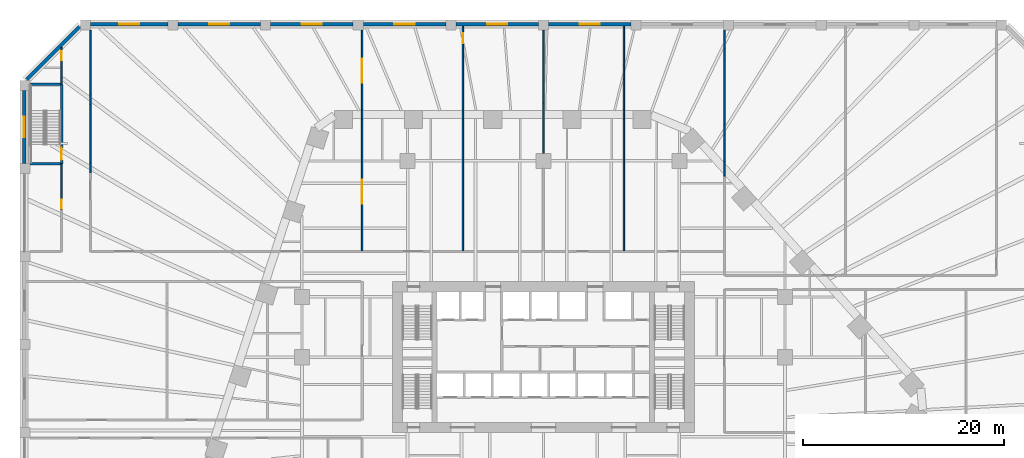
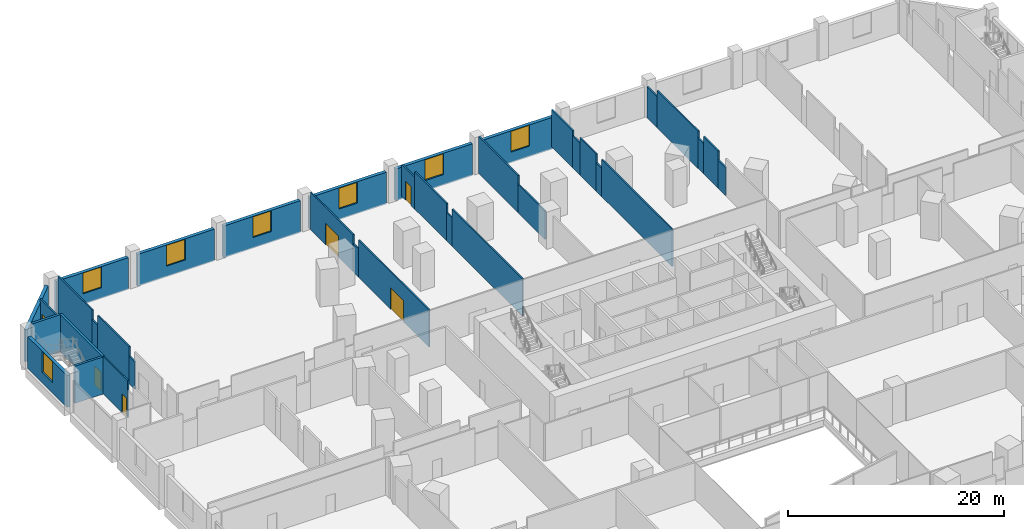
# One storey, part 22 of 29: 36 walls, 7 windows, 6 doors, 13 openings.
"""IFC4 building model written with IfcOpenShell, lengths in metres."""

from ifc_helpers import new_model, si_unit, direction, frame, frame_2d, origin, place, context, subcontext, project, spatial, rectangle, extrude, material, layer, layer_set, type_object, element, fill, save


model = new_model("IFC4")

# Units and contexts
model_context = context("Model", 3, precision=1e-05, world=origin(), true_north=direction((0.0, 1.0)))
body_context = subcontext(model_context, "Body", "Model", "MODEL_VIEW")
ifc_project = project(units=[si_unit("LENGTHUNIT", "METRE"), si_unit("AREAUNIT", "SQUARE_METRE"), si_unit("VOLUMEUNIT", "CUBIC_METRE"), si_unit("PLANEANGLEUNIT", "RADIAN"), si_unit("MASSUNIT", "GRAM", prefix="KILO")], contexts=[model_context])

# Site, building, storey
site_placement = place(None, origin())
site = spatial("IfcSite", under=ifc_project, at=site_placement, CompositionType="ELEMENT")
building_placement = place(site_placement, origin())
building = spatial("IfcBuilding", under=site, at=building_placement, Name="Isthmus Gate Tower", CompositionType="ELEMENT")
storey_placement = place(building_placement, frame((0.0, 0.0, 27.0)))
storey = spatial("IfcBuildingStorey", under=building, at=storey_placement, Name="L04", CompositionType="ELEMENT", Elevation=27.0)

# Wall, opening, door
ifc_material_1 = material(Name="Fire-rated gypsum board on steel studs", Category="steel")
ifc_layer_1 = layer(ifc_material_1, 0.14990234375)
ifc_layer_set_1 = layer_set([ifc_layer_1], Name="Fire-rated partition 150 EI 60")
wall_type_1 = type_object("IfcWallType", Name="Fire-rated partition 150 EI 60", PredefinedType="PARTITIONING", material=ifc_layer_set_1)
wall_1_placement = place(storey_placement, frame((-47.875, 22.11572265625, 0.0), z_axis=(0.0, 0.0, 1.0), x_axis=(0.0, 1.0, 0.0)))
wall_1 = element("IfcWall", 1, at=wall_1_placement, inside=storey, type_object=wall_type_1, Name="Fire-rated partition", PredefinedType="PARTITIONING", context=body_context, shape_type="SweptSolid", body=[
    extrude(rectangle(XDim=4.584228515625, YDim=0.14990234375, at=frame_2d((2.2919921875, 0.0))), origin(), (0.0, 0.0, 1.0), 4.199951171875),
])
opening_1_placement = place(wall_1_placement, frame((0.14990234375, 0.0, 0.0)))
opening_1 = element("IfcOpeningElement", 2, at=opening_1_placement, cuts=wall_1, Name="Opening DP04-02", PredefinedType="OPENING", context=body_context, shape_type="SweptSolid", body=[
    extrude(rectangle(XDim=0.89990234375, YDim=2.10009765625, at=frame_2d((0.449951171875, 1.050048828125))), frame((0.0, 0.0849609375, 0.0), z_axis=(0.0, -1.0, 0.0), x_axis=(1.0, 0.0, 0.0)), (0.0, 0.0, 1.0), 0.169921875),
])
ifc_material_2 = material(Name="Steel fire door with intumescent seals", Category="steel")
door_type_1 = type_object("IfcDoorType", Name="Fire door 900 x 2100", OperationType="SINGLE_SWING_LEFT", PredefinedType="DOOR", material=ifc_material_2)
door_1_placement = place(opening_1_placement, origin())
door_1 = element("IfcDoor", 3, at=door_1_placement, inside=storey, type_object=door_type_1, Name="Door DP04-02", OperationType="SINGLE_SWING_LEFT", OverallHeight=2.10009765625, OverallWidth=0.89990234375, PredefinedType="DOOR", context=body_context, shape_type="SweptSolid", body=[
    extrude(rectangle(XDim=0.89990234375, YDim=2.10009765625, at=frame_2d((0.449951171875, 1.050048828125))), frame((0.0, 0.02490234375, 0.0), z_axis=(0.0, -1.0, 0.0), x_axis=(1.0, 0.0, 0.0)), (0.0, 0.0, 1.0), 0.050048828125),
])
fill(opening_1, door_1)

wall_2_placement = place(storey_placement, frame((-47.875, 34.60009765625, 0.0), z_axis=(0.0, 0.0, 1.0), x_axis=(0.0, 1.0, 0.0)))
wall_2 = element("IfcWall", 4, at=wall_2_placement, inside=storey, type_object=wall_type_1, Name="Fire-rated partition", PredefinedType="PARTITIONING", context=body_context, shape_type="SweptSolid", body=[
    extrude(rectangle(XDim=3.676513671875, YDim=0.14990234375, at=frame_2d((1.83837890625, 0.0))), origin(), (0.0, 0.0, 1.0), 3.66650390625),
])
opening_2_placement = place(wall_2_placement, frame((2.39990234375, 0.0, 0.0)))
opening_2 = element("IfcOpeningElement", 5, at=opening_2_placement, cuts=wall_2, Name="Opening DP04-03", PredefinedType="OPENING", context=body_context, shape_type="SweptSolid", body=[
    extrude(rectangle(XDim=0.89990234375, YDim=2.10009765625, at=frame_2d((0.449951171875, 1.050048828125))), frame((0.0, 0.0849609375, 0.0), z_axis=(0.0, -1.0, 0.0), x_axis=(1.0, 0.0, 0.0)), (0.0, 0.0, 1.0), 0.169921875),
])
door_2_placement = place(opening_2_placement, origin())
door_2 = element("IfcDoor", 6, at=door_2_placement, inside=storey, type_object=door_type_1, Name="Door DP04-03", OperationType="SINGLE_SWING_LEFT", OverallHeight=2.10009765625, OverallWidth=0.89990234375, PredefinedType="DOOR", context=body_context, shape_type="SweptSolid", body=[
    extrude(rectangle(XDim=0.89990234375, YDim=2.10009765625, at=frame_2d((0.449951171875, 1.050048828125))), frame((0.0, 0.02490234375, 0.0), z_axis=(0.0, -1.0, 0.0), x_axis=(1.0, 0.0, 0.0)), (0.0, 0.0, 1.0), 0.050048828125),
])
fill(opening_2, door_2)

# Walls
wall_3_placement = place(storey_placement, frame((-45.0, 25.812744140625, 0.0), z_axis=(0.0, 0.0, 1.0), x_axis=(0.0, 1.0, 0.0)))
element("IfcWall", 7, at=wall_3_placement, inside=storey, type_object=wall_type_1, Name="Fire-rated partition", PredefinedType="PARTITIONING", context=body_context, shape_type="SweptSolid", body=[
    extrude(rectangle(XDim=1.0, YDim=0.14990234375, at=frame_2d((0.5, 0.0))), origin(), (0.0, 0.0, 1.0), 3.111083984375),
])
wall_4_placement = place(storey_placement, frame((-45.0, 26.812744140625, 0.0), z_axis=(0.0, 0.0, 1.0), x_axis=(0.0, 1.0, 0.0)))
element("IfcWall", 8, at=wall_4_placement, inside=storey, type_object=wall_type_1, Name="Fire-rated partition", PredefinedType="PARTITIONING", context=body_context, shape_type="SweptSolid", body=[
    extrude(rectangle(XDim=5.808349609375, YDim=0.14990234375, at=frame_2d((2.904296875, 0.0))), origin(), (0.0, 0.0, 1.0), 4.199951171875),
])
wall_5_placement = place(storey_placement, frame((-45.0, 32.62109375, 0.0), z_axis=(0.0, 0.0, 1.0), x_axis=(0.0, 1.0, 0.0)))
element("IfcWall", 9, at=wall_5_placement, inside=storey, type_object=wall_type_1, Name="Fire-rated partition", PredefinedType="PARTITIONING", context=body_context, shape_type="SweptSolid", body=[
    extrude(rectangle(XDim=1.0, YDim=0.14990234375, at=frame_2d((0.5, 0.0))), origin(), (0.0, 0.0, 1.0), 3.111083984375),
])
wall_6_placement = place(storey_placement, frame((-45.0, 33.62109375, 0.0), z_axis=(0.0, 0.0, 1.0), x_axis=(0.0, 1.0, 0.0)))
element("IfcWall", 10, at=wall_6_placement, inside=storey, type_object=wall_type_1, Name="Fire-rated partition", PredefinedType="PARTITIONING", context=body_context, shape_type="SweptSolid", body=[
    extrude(rectangle(XDim=6.37890625, YDim=0.14990234375, at=frame_2d((3.189453125, 0.0))), origin(), (0.0, 0.0, 1.0), 4.199951171875),
])

# Wall, opening, window
ifc_material_3 = material(Name="Precast concrete C40/50, limestone-faced", Category="masonry")
ifc_layer_2 = layer(ifc_material_3, 0.35009765625)
ifc_layer_set_2 = layer_set([ifc_layer_2], Name="PODIUM CLADDING WALL 350")
wall_type_2 = type_object("IfcWallType", Name="PODIUM CLADDING WALL 350", PredefinedType="SOLIDWALL", material=ifc_layer_set_2)
wall_7_placement = place(storey_placement, frame((8.699951171875, 40.574951171875, -0.300048828125), z_axis=(0.0, 0.0, 1.0), x_axis=(-1.0, 0.0, 0.0)))
wall_7 = element("IfcWall", 11, at=wall_7_placement, inside=storey, type_object=wall_type_2, Name="PODIUM WALL", PredefinedType="SOLIDWALL", context=body_context, shape_type="SweptSolid", body=[
    extrude(rectangle(XDim=8.199951171875, YDim=0.35009765625, at=frame_2d((4.10009765625, 0.0))), origin(), (0.0, 0.0, 1.0), 3.60009765625),
])
opening_3_placement = place(wall_7_placement, frame((3.10009765625, 0.0, 1.199951171875)))
opening_3 = element("IfcOpeningElement", 12, at=opening_3_placement, cuts=wall_7, Name="Opening W081", PredefinedType="OPENING", context=body_context, shape_type="SweptSolid", body=[
    extrude(rectangle(XDim=2.0, YDim=2.35009765625, at=frame_2d((1.0, 1.175048828125))), frame((0.0, 0.18505859375, 0.0), z_axis=(0.0, -1.0, 0.0), x_axis=(1.0, 0.0, 0.0)), (0.0, 0.0, 1.0), 0.3701171875),
])
ifc_material_4 = material(Name="Aluminium, pale champagne anodised, laminated glass", Category="aluminium")
window_type = type_object("IfcWindowType", Name="PODIUM SLOT WINDOW 2000 X 2350", PartitioningType="SINGLE_PANEL", PredefinedType="WINDOW", material=ifc_material_4)
window_1_placement = place(opening_3_placement, origin())
window_1 = element("IfcWindow", 13, at=window_1_placement, inside=storey, type_object=window_type, Name="SLOT WINDOW", OverallHeight=2.35009765625, OverallWidth=2.0, PartitioningType="SINGLE_PANEL", PredefinedType="WINDOW", context=body_context, shape_type="SweptSolid", body=[
    extrude(rectangle(XDim=2.0, YDim=2.35009765625, at=frame_2d((1.0, 1.175048828125))), frame((0.0, 0.030029296875, 0.0), z_axis=(0.0, -1.0, 0.0), x_axis=(1.0, 0.0, 0.0)), (0.0, 0.0, 1.0), 0.06005859375),
])
fill(opening_3, window_1)

wall_8_placement = place(storey_placement, frame((-0.5, 40.574951171875, -0.300048828125), z_axis=(0.0, 0.0, 1.0), x_axis=(-1.0, 0.0, 0.0)))
wall_8 = element("IfcWall", 14, at=wall_8_placement, inside=storey, type_object=wall_type_2, Name="PODIUM WALL", PredefinedType="SOLIDWALL", context=body_context, shape_type="SweptSolid", body=[
    extrude(rectangle(XDim=8.199951171875, YDim=0.35009765625, at=frame_2d((4.10009765625, 0.0))), origin(), (0.0, 0.0, 1.0), 3.60009765625),
])
opening_4_placement = place(wall_8_placement, frame((3.10009765625, 0.0, 1.199951171875)))
opening_4 = element("IfcOpeningElement", 15, at=opening_4_placement, cuts=wall_8, Name="Opening W082", PredefinedType="OPENING", context=body_context, shape_type="SweptSolid", body=[
    extrude(rectangle(XDim=2.0, YDim=2.35009765625, at=frame_2d((1.0, 1.175048828125))), frame((0.0, 0.18505859375, 0.0), z_axis=(0.0, -1.0, 0.0), x_axis=(1.0, 0.0, 0.0)), (0.0, 0.0, 1.0), 0.3701171875),
])
window_2_placement = place(opening_4_placement, origin())
window_2 = element("IfcWindow", 16, at=window_2_placement, inside=storey, type_object=window_type, Name="SLOT WINDOW", OverallHeight=2.35009765625, OverallWidth=2.0, PartitioningType="SINGLE_PANEL", PredefinedType="WINDOW", context=body_context, shape_type="SweptSolid", body=[
    extrude(rectangle(XDim=2.0, YDim=2.35009765625, at=frame_2d((1.0, 1.175048828125))), frame((0.0, 0.030029296875, 0.0), z_axis=(0.0, -1.0, 0.0), x_axis=(1.0, 0.0, 0.0)), (0.0, 0.0, 1.0), 0.06005859375),
])
fill(opening_4, window_2)

wall_9_placement = place(storey_placement, frame((-9.699951171875, 40.574951171875, -0.300048828125), z_axis=(0.0, 0.0, 1.0), x_axis=(-1.0, 0.0, 0.0)))
wall_9 = element("IfcWall", 17, at=wall_9_placement, inside=storey, type_object=wall_type_2, Name="PODIUM WALL", PredefinedType="SOLIDWALL", context=body_context, shape_type="SweptSolid", body=[
    extrude(rectangle(XDim=8.199951171875, YDim=0.35009765625, at=frame_2d((4.10009765625, 0.0))), origin(), (0.0, 0.0, 1.0), 3.60009765625),
])
opening_5_placement = place(wall_9_placement, frame((3.10009765625, 0.0, 1.199951171875)))
opening_5 = element("IfcOpeningElement", 18, at=opening_5_placement, cuts=wall_9, Name="Opening W083", PredefinedType="OPENING", context=body_context, shape_type="SweptSolid", body=[
    extrude(rectangle(XDim=2.0, YDim=2.35009765625, at=frame_2d((1.0, 1.175048828125))), frame((0.0, 0.18505859375, 0.0), z_axis=(0.0, -1.0, 0.0), x_axis=(1.0, 0.0, 0.0)), (0.0, 0.0, 1.0), 0.3701171875),
])
window_3_placement = place(opening_5_placement, origin())
window_3 = element("IfcWindow", 19, at=window_3_placement, inside=storey, type_object=window_type, Name="SLOT WINDOW", OverallHeight=2.35009765625, OverallWidth=2.0, PartitioningType="SINGLE_PANEL", PredefinedType="WINDOW", context=body_context, shape_type="SweptSolid", body=[
    extrude(rectangle(XDim=2.0, YDim=2.35009765625, at=frame_2d((1.0, 1.175048828125))), frame((0.0, 0.030029296875, 0.0), z_axis=(0.0, -1.0, 0.0), x_axis=(1.0, 0.0, 0.0)), (0.0, 0.0, 1.0), 0.06005859375),
])
fill(opening_5, window_3)

wall_10_placement = place(storey_placement, frame((-18.89990234375, 40.574951171875, -0.300048828125), z_axis=(0.0, 0.0, 1.0), x_axis=(-1.0, 0.0, 0.0)))
wall_10 = element("IfcWall", 20, at=wall_10_placement, inside=storey, type_object=wall_type_2, Name="PODIUM WALL", PredefinedType="SOLIDWALL", context=body_context, shape_type="SweptSolid", body=[
    extrude(rectangle(XDim=8.2001953125, YDim=0.35009765625, at=frame_2d((4.10009765625, 0.0))), origin(), (0.0, 0.0, 1.0), 3.60009765625),
])
opening_6_placement = place(wall_10_placement, frame((3.10009765625, 0.0, 1.199951171875)))
opening_6 = element("IfcOpeningElement", 21, at=opening_6_placement, cuts=wall_10, Name="Opening W084", PredefinedType="OPENING", context=body_context, shape_type="SweptSolid", body=[
    extrude(rectangle(XDim=2.0, YDim=2.35009765625, at=frame_2d((1.0, 1.175048828125))), frame((0.0, 0.18505859375, 0.0), z_axis=(0.0, -1.0, 0.0), x_axis=(1.0, 0.0, 0.0)), (0.0, 0.0, 1.0), 0.3701171875),
])
window_4_placement = place(opening_6_placement, origin())
window_4 = element("IfcWindow", 22, at=window_4_placement, inside=storey, type_object=window_type, Name="SLOT WINDOW", OverallHeight=2.35009765625, OverallWidth=2.0, PartitioningType="SINGLE_PANEL", PredefinedType="WINDOW", context=body_context, shape_type="SweptSolid", body=[
    extrude(rectangle(XDim=2.0, YDim=2.35009765625, at=frame_2d((1.0, 1.175048828125))), frame((0.0, 0.030029296875, 0.0), z_axis=(0.0, -1.0, 0.0), x_axis=(1.0, 0.0, 0.0)), (0.0, 0.0, 1.0), 0.06005859375),
])
fill(opening_6, window_4)

wall_11_placement = place(storey_placement, frame((-28.10009765625, 40.574951171875, -0.300048828125), z_axis=(0.0, 0.0, 1.0), x_axis=(-1.0, 0.0, 0.0)))
wall_11 = element("IfcWall", 23, at=wall_11_placement, inside=storey, type_object=wall_type_2, Name="PODIUM WALL", PredefinedType="SOLIDWALL", context=body_context, shape_type="SweptSolid", body=[
    extrude(rectangle(XDim=8.199951171875, YDim=0.35009765625, at=frame_2d((4.10009765625, 0.0))), origin(), (0.0, 0.0, 1.0), 3.60009765625),
])
opening_7_placement = place(wall_11_placement, frame((3.10009765625, 0.0, 1.199951171875)))
opening_7 = element("IfcOpeningElement", 24, at=opening_7_placement, cuts=wall_11, Name="Opening W085", PredefinedType="OPENING", context=body_context, shape_type="SweptSolid", body=[
    extrude(rectangle(XDim=2.0, YDim=2.35009765625, at=frame_2d((1.0, 1.175048828125))), frame((0.0, 0.18505859375, 0.0), z_axis=(0.0, -1.0, 0.0), x_axis=(1.0, 0.0, 0.0)), (0.0, 0.0, 1.0), 0.3701171875),
])
window_5_placement = place(opening_7_placement, origin())
window_5 = element("IfcWindow", 25, at=window_5_placement, inside=storey, type_object=window_type, Name="SLOT WINDOW", OverallHeight=2.35009765625, OverallWidth=2.0, PartitioningType="SINGLE_PANEL", PredefinedType="WINDOW", context=body_context, shape_type="SweptSolid", body=[
    extrude(rectangle(XDim=2.0, YDim=2.35009765625, at=frame_2d((1.0, 1.175048828125))), frame((0.0, 0.030029296875, 0.0), z_axis=(0.0, -1.0, 0.0), x_axis=(1.0, 0.0, 0.0)), (0.0, 0.0, 1.0), 0.06005859375),
])
fill(opening_7, window_5)

wall_12_placement = place(storey_placement, frame((-37.300048828125, 40.574951171875, -0.300048828125), z_axis=(0.0, 0.0, 1.0), x_axis=(-1.0, 0.0, 0.0)))
wall_12 = element("IfcWall", 26, at=wall_12_placement, inside=storey, type_object=wall_type_2, Name="PODIUM WALL", PredefinedType="SOLIDWALL", context=body_context, shape_type="SweptSolid", body=[
    extrude(rectangle(XDim=7.699951171875, YDim=0.35009765625, at=frame_2d((3.85009765625, 0.0))), origin(), (0.0, 0.0, 1.0), 3.60009765625),
])
opening_8_placement = place(wall_12_placement, frame((2.85009765625, 0.0, 1.199951171875)))
opening_8 = element("IfcOpeningElement", 27, at=opening_8_placement, cuts=wall_12, Name="Opening W086", PredefinedType="OPENING", context=body_context, shape_type="SweptSolid", body=[
    extrude(rectangle(XDim=2.0, YDim=2.35009765625, at=frame_2d((1.0, 1.175048828125))), frame((0.0, 0.18505859375, 0.0), z_axis=(0.0, -1.0, 0.0), x_axis=(1.0, 0.0, 0.0)), (0.0, 0.0, 1.0), 0.3701171875),
])
window_6_placement = place(opening_8_placement, origin())
window_6 = element("IfcWindow", 28, at=window_6_placement, inside=storey, type_object=window_type, Name="SLOT WINDOW", OverallHeight=2.35009765625, OverallWidth=2.0, PartitioningType="SINGLE_PANEL", PredefinedType="WINDOW", context=body_context, shape_type="SweptSolid", body=[
    extrude(rectangle(XDim=2.0, YDim=2.35009765625, at=frame_2d((1.0, 1.175048828125))), frame((0.0, 0.030029296875, 0.0), z_axis=(0.0, -1.0, 0.0), x_axis=(1.0, 0.0, 0.0)), (0.0, 0.0, 1.0), 0.06005859375),
])
fill(opening_8, window_6)

# Wall
wall_13_placement = place(storey_placement, frame((-46.071533203125, 40.327392578125, -0.300048828125), z_axis=(0.0, 0.0, 1.0), x_axis=(-0.707106781187, -0.707106781187, 0.0)))
element("IfcWall", 29, at=wall_13_placement, inside=storey, type_object=wall_type_2, Name="PODIUM WALL", PredefinedType="SOLIDWALL", context=body_context, shape_type="SweptSolid", body=[
    extrude(rectangle(XDim=7.432861328125, YDim=0.35009765625, at=frame_2d((3.71630859375, 0.0))), origin(), (0.0, 0.0, 1.0), 3.60009765625),
])

# Wall, opening, window
wall_14_placement = place(storey_placement, frame((-51.574951171875, 34.0, -0.300048828125), z_axis=(0.0, 0.0, 1.0), x_axis=(0.0, -1.0, 0.0)))
wall_14 = element("IfcWall", 30, at=wall_14_placement, inside=storey, type_object=wall_type_2, Name="PODIUM WALL", PredefinedType="SOLIDWALL", context=body_context, shape_type="SweptSolid", body=[
    extrude(rectangle(XDim=7.25, YDim=0.35009765625, at=frame_2d((3.625, 0.0))), origin(), (0.0, 0.0, 1.0), 3.60009765625),
])
opening_9_placement = place(wall_14_placement, frame((2.625, 0.0, 1.199951171875)))
opening_9 = element("IfcOpeningElement", 31, at=opening_9_placement, cuts=wall_14, Name="Opening W087", PredefinedType="OPENING", context=body_context, shape_type="SweptSolid", body=[
    extrude(rectangle(XDim=2.0, YDim=2.35009765625, at=frame_2d((1.0, 1.175048828125))), frame((0.0, 0.18505859375, 0.0), z_axis=(0.0, -1.0, 0.0), x_axis=(1.0, 0.0, 0.0)), (0.0, 0.0, 1.0), 0.3701171875),
])
window_7_placement = place(opening_9_placement, origin())
window_7 = element("IfcWindow", 32, at=window_7_placement, inside=storey, type_object=window_type, Name="SLOT WINDOW", OverallHeight=2.35009765625, OverallWidth=2.0, PartitioningType="SINGLE_PANEL", PredefinedType="WINDOW", context=body_context, shape_type="SweptSolid", body=[
    extrude(rectangle(XDim=2.0, YDim=2.35009765625, at=frame_2d((1.0, 1.175048828125))), frame((0.0, 0.030029296875, 0.0), z_axis=(0.0, -1.0, 0.0), x_axis=(1.0, 0.0, 0.0)), (0.0, 0.0, 1.0), 0.06005859375),
])
fill(opening_9, window_7)

# Wall, opening, door
ifc_material_5 = material(Name="Gypsum board on cold-formed steel studs", Category="steel")
ifc_layer_3 = layer(ifc_material_5, 0.14990234375)
ifc_layer_set_3 = layer_set([ifc_layer_3])
wall_type_3 = type_object("IfcWallType", Name="Partition 150 gypsum board on steel studs", PredefinedType="PARTITIONING", material=ifc_layer_set_3)
wall_15_placement = place(storey_placement, frame((-18.0, 18.074951171875, 0.0), z_axis=(0.0, 0.0, 1.0), x_axis=(0.0, 1.0, 0.0)))
wall_15 = element("IfcWall", 33, at=wall_15_placement, inside=storey, type_object=wall_type_3, Name="Partition", PredefinedType="PARTITIONING", context=body_context, shape_type="SweptSolid", body=[
    extrude(rectangle(XDim=13.025146484375, YDim=0.14990234375, at=frame_2d((6.5126953125, 0.0))), origin(), (0.0, 0.0, 1.0), 4.199951171875),
])
opening_10_placement = place(wall_15_placement, frame((4.64990234375, 0.0, 0.0)))
opening_10 = element("IfcOpeningElement", 34, at=opening_10_placement, cuts=wall_15, Name="Opening DP04-12", PredefinedType="OPENING", context=body_context, shape_type="SweptSolid", body=[
    extrude(rectangle(XDim=2.39990234375, YDim=2.39990234375, at=frame_2d((1.199951171875, 1.199951171875))), frame((0.0, 0.0849609375, 0.0), z_axis=(0.0, -1.0, 0.0), x_axis=(1.0, 0.0, 0.0)), (0.0, 0.0, 1.0), 0.169921875),
])
ifc_material_6 = material(Name="Hollow metal frame with solid-core timber leaves", Category="wood")
door_type_2 = type_object("IfcDoorType", Name="Double swing door 2400 x 2400", OperationType="DOUBLE_DOOR_SINGLE_SWING", PredefinedType="DOOR", material=ifc_material_6)
door_3_placement = place(opening_10_placement, origin())
door_3 = element("IfcDoor", 35, at=door_3_placement, inside=storey, type_object=door_type_2, Name="Door DP04-12", OperationType="SINGLE_SWING_LEFT", OverallHeight=2.39990234375, OverallWidth=2.39990234375, PredefinedType="DOOR", context=body_context, shape_type="SweptSolid", body=[
    extrude(rectangle(XDim=2.39990234375, YDim=2.39990234375, at=frame_2d((1.199951171875, 1.199951171875))), frame((0.0, 0.02490234375, 0.0), z_axis=(0.0, -1.0, 0.0), x_axis=(1.0, 0.0, 0.0)), (0.0, 0.0, 1.0), 0.050048828125),
])
fill(opening_10, door_3)

# Wall
wall_16_placement = place(storey_placement, frame((-18.0, 31.10009765625, 0.0), z_axis=(0.0, 0.0, 1.0), x_axis=(0.0, 1.0, 0.0)))
element("IfcWall", 36, at=wall_16_placement, inside=storey, type_object=wall_type_3, Name="Partition", PredefinedType="PARTITIONING", context=body_context, shape_type="SweptSolid", body=[
    extrude(rectangle(XDim=1.0, YDim=0.14990234375, at=frame_2d((0.5, 0.0))), origin(), (0.0, 0.0, 1.0), 3.199951171875),
])

# Wall, opening, door
wall_17_placement = place(storey_placement, frame((-18.0, 32.10009765625, 0.0), z_axis=(0.0, 0.0, 1.0), x_axis=(0.0, 1.0, 0.0)))
wall_17 = element("IfcWall", 37, at=wall_17_placement, inside=storey, type_object=wall_type_3, Name="Partition", PredefinedType="PARTITIONING", context=body_context, shape_type="SweptSolid", body=[
    extrude(rectangle(XDim=7.89990234375, YDim=0.14990234375, at=frame_2d((3.949951171875, 0.0))), origin(), (0.0, 0.0, 1.0), 4.199951171875),
])
opening_11_placement = place(wall_17_placement, frame((2.64990234375, 0.0, 0.0)))
opening_11 = element("IfcOpeningElement", 38, at=opening_11_placement, cuts=wall_17, Name="Opening DP04-13", PredefinedType="OPENING", context=body_context, shape_type="SweptSolid", body=[
    extrude(rectangle(XDim=2.39990234375, YDim=2.39990234375, at=frame_2d((1.199951171875, 1.199951171875))), frame((0.0, 0.0849609375, 0.0), z_axis=(0.0, -1.0, 0.0), x_axis=(1.0, 0.0, 0.0)), (0.0, 0.0, 1.0), 0.169921875),
])
door_4_placement = place(opening_11_placement, origin())
door_4 = element("IfcDoor", 39, at=door_4_placement, inside=storey, type_object=door_type_2, Name="Door DP04-13", OperationType="SINGLE_SWING_LEFT", OverallHeight=2.39990234375, OverallWidth=2.39990234375, PredefinedType="DOOR", context=body_context, shape_type="SweptSolid", body=[
    extrude(rectangle(XDim=2.39990234375, YDim=2.39990234375, at=frame_2d((1.199951171875, 1.199951171875))), frame((0.0, 0.02490234375, 0.0), z_axis=(0.0, -1.0, 0.0), x_axis=(1.0, 0.0, 0.0)), (0.0, 0.0, 1.0), 0.050048828125),
])
fill(opening_11, door_4)

# Walls
wall_18_placement = place(storey_placement, frame((-8.0, 18.074951171875, 0.0), z_axis=(0.0, 0.0, 1.0), x_axis=(0.0, 1.0, 0.0)))
element("IfcWall", 40, at=wall_18_placement, inside=storey, type_object=wall_type_3, Name="Partition", PredefinedType="PARTITIONING", context=body_context, shape_type="SweptSolid", body=[
    extrude(rectangle(XDim=13.025146484375, YDim=0.14990234375, at=frame_2d((6.5126953125, 0.0))), origin(), (0.0, 0.0, 1.0), 4.199951171875),
])
wall_19_placement = place(storey_placement, frame((-8.0, 31.10009765625, 0.0), z_axis=(0.0, 0.0, 1.0), x_axis=(0.0, 1.0, 0.0)))
element("IfcWall", 41, at=wall_19_placement, inside=storey, type_object=wall_type_3, Name="Partition", PredefinedType="PARTITIONING", context=body_context, shape_type="SweptSolid", body=[
    extrude(rectangle(XDim=1.0, YDim=0.14990234375, at=frame_2d((0.5, 0.0))), origin(), (0.0, 0.0, 1.0), 3.199951171875),
])
wall_20_placement = place(storey_placement, frame((-8.0, 32.10009765625, 0.0), z_axis=(0.0, 0.0, 1.0), x_axis=(0.0, 1.0, 0.0)))
element("IfcWall", 42, at=wall_20_placement, inside=storey, type_object=wall_type_3, Name="Partition", PredefinedType="PARTITIONING", context=body_context, shape_type="SweptSolid", body=[
    extrude(rectangle(XDim=5.931396484375, YDim=0.14990234375, at=frame_2d((2.9658203125, 0.0))), origin(), (0.0, 0.0, 1.0), 4.199951171875),
])

# Wall, opening, door
wall_21_placement = place(storey_placement, frame((-8.0, 38.031494140625, 0.0), z_axis=(0.0, 0.0, 1.0), x_axis=(0.0, 1.0, 0.0)))
wall_21 = element("IfcWall", 43, at=wall_21_placement, inside=storey, type_object=wall_type_3, Name="Partition", PredefinedType="PARTITIONING", context=body_context, shape_type="SweptSolid", body=[
    extrude(rectangle(XDim=2.368408203125, YDim=0.14990234375, at=frame_2d((1.18408203125, 0.0))), origin(), (0.0, 0.0, 1.0), 3.599853515625),
])
opening_12_placement = place(wall_21_placement, frame((0.64990234375, 0.0, 0.0)))
opening_12 = element("IfcOpeningElement", 44, at=opening_12_placement, cuts=wall_21, Name="Opening DP04-32", PredefinedType="OPENING", context=body_context, shape_type="SweptSolid", body=[
    extrude(rectangle(XDim=1.0, YDim=2.10009765625, at=frame_2d((0.5, 1.050048828125))), frame((0.0, 0.0849609375, 0.0), z_axis=(0.0, -1.0, 0.0), x_axis=(1.0, 0.0, 0.0)), (0.0, 0.0, 1.0), 0.169921875),
])
ifc_material_7 = material(Name="Hollow metal frame with solid-core timber leaf", Category="wood")
door_type_3 = type_object("IfcDoorType", Name="Single swing door 1000 x 2100", OperationType="SINGLE_SWING_LEFT", PredefinedType="DOOR", material=ifc_material_7)
door_5_placement = place(opening_12_placement, origin())
door_5 = element("IfcDoor", 45, at=door_5_placement, inside=storey, type_object=door_type_3, Name="Door DP04-32", OperationType="SINGLE_SWING_LEFT", OverallHeight=2.10009765625, OverallWidth=1.0, PredefinedType="DOOR", context=body_context, shape_type="SweptSolid", body=[
    extrude(rectangle(XDim=1.0, YDim=2.10009765625, at=frame_2d((0.5, 1.050048828125))), frame((0.0, 0.02490234375, 0.0), z_axis=(0.0, -1.0, 0.0), x_axis=(1.0, 0.0, 0.0)), (0.0, 0.0, 1.0), 0.050048828125),
])
fill(opening_12, door_5)

# Walls
wall_22_placement = place(storey_placement, frame((0.0, 27.75, 0.0), z_axis=(0.0, 0.0, 1.0), x_axis=(0.0, 1.0, 0.0)))
element("IfcWall", 46, at=wall_22_placement, inside=storey, type_object=wall_type_3, Name="Partition", PredefinedType="PARTITIONING", context=body_context, shape_type="SweptSolid", body=[
    extrude(rectangle(XDim=4.97265625, YDim=0.14990234375, at=frame_2d((2.486328125, 0.0))), origin(), (0.0, 0.0, 1.0), 3.199951171875),
])
wall_23_placement = place(storey_placement, frame((0.0, 32.72265625, 0.0), z_axis=(0.0, 0.0, 1.0), x_axis=(0.0, 1.0, 0.0)))
element("IfcWall", 47, at=wall_23_placement, inside=storey, type_object=wall_type_3, Name="Partition", PredefinedType="PARTITIONING", context=body_context, shape_type="SweptSolid", body=[
    extrude(rectangle(XDim=7.27734375, YDim=0.14990234375, at=frame_2d((3.638671875, 0.0))), origin(), (0.0, 0.0, 1.0), 4.199951171875),
])
wall_24_placement = place(storey_placement, frame((8.0, 18.074951171875, 0.0), z_axis=(0.0, 0.0, 1.0), x_axis=(0.0, 1.0, 0.0)))
element("IfcWall", 48, at=wall_24_placement, inside=storey, type_object=wall_type_3, Name="Partition", PredefinedType="PARTITIONING", context=body_context, shape_type="SweptSolid", body=[
    extrude(rectangle(XDim=13.025146484375, YDim=0.14990234375, at=frame_2d((6.5126953125, 0.0))), origin(), (0.0, 0.0, 1.0), 4.199951171875),
])
wall_25_placement = place(storey_placement, frame((8.0, 31.10009765625, 0.0), z_axis=(0.0, 0.0, 1.0), x_axis=(0.0, 1.0, 0.0)))
element("IfcWall", 49, at=wall_25_placement, inside=storey, type_object=wall_type_3, Name="Partition", PredefinedType="PARTITIONING", context=body_context, shape_type="SweptSolid", body=[
    extrude(rectangle(XDim=1.0, YDim=0.14990234375, at=frame_2d((0.5, 0.0))), origin(), (0.0, 0.0, 1.0), 3.199951171875),
])
wall_26_placement = place(storey_placement, frame((8.0, 32.10009765625, 0.0), z_axis=(0.0, 0.0, 1.0), x_axis=(0.0, 1.0, 0.0)))
element("IfcWall", 50, at=wall_26_placement, inside=storey, type_object=wall_type_3, Name="Partition", PredefinedType="PARTITIONING", context=body_context, shape_type="SweptSolid", body=[
    extrude(rectangle(XDim=3.0380859375, YDim=0.14990234375, at=frame_2d((1.51904296875, 0.0))), origin(), (0.0, 0.0, 1.0), 4.199951171875),
])
wall_27_placement = place(storey_placement, frame((8.0, 35.13818359375, 0.0), z_axis=(0.0, 0.0, 1.0), x_axis=(0.0, 1.0, 0.0)))
element("IfcWall", 51, at=wall_27_placement, inside=storey, type_object=wall_type_3, Name="Partition", PredefinedType="PARTITIONING", context=body_context, shape_type="SweptSolid", body=[
    extrude(rectangle(XDim=1.381103515625, YDim=0.14990234375, at=frame_2d((0.6904296875, 0.0))), origin(), (0.0, 0.0, 1.0), 3.599853515625),
])
wall_28_placement = place(storey_placement, frame((8.0, 36.519287109375, 0.0), z_axis=(0.0, 0.0, 1.0), x_axis=(0.0, 1.0, 0.0)))
element("IfcWall", 52, at=wall_28_placement, inside=storey, type_object=wall_type_3, Name="Partition", PredefinedType="PARTITIONING", context=body_context, shape_type="SweptSolid", body=[
    extrude(rectangle(XDim=3.880615234375, YDim=0.14990234375, at=frame_2d((1.9404296875, 0.0))), origin(), (0.0, 0.0, 1.0), 4.199951171875),
])
wall_29_placement = place(storey_placement, frame((18.0, 25.4794921875, 0.0), z_axis=(0.0, 0.0, 1.0), x_axis=(0.0, 1.0, 0.0)))
element("IfcWall", 53, at=wall_29_placement, inside=storey, type_object=wall_type_3, Name="Partition", PredefinedType="PARTITIONING", context=body_context, shape_type="SweptSolid", body=[
    extrude(rectangle(XDim=1.419921875, YDim=0.14990234375, at=frame_2d((0.7099609375, 0.0))), origin(), (0.0, 0.0, 1.0), 3.199951171875),
])
wall_30_placement = place(storey_placement, frame((18.0, 26.8994140625, 0.0), z_axis=(0.0, 0.0, 1.0), x_axis=(0.0, 1.0, 0.0)))
element("IfcWall", 54, at=wall_30_placement, inside=storey, type_object=wall_type_3, Name="Partition", PredefinedType="PARTITIONING", context=body_context, shape_type="SweptSolid", body=[
    extrude(rectangle(XDim=2.70068359375, YDim=0.14990234375, at=frame_2d((1.350341796875, 0.0))), origin(), (0.0, 0.0, 1.0), 4.199951171875),
])
wall_31_placement = place(storey_placement, frame((18.0, 29.60009765625, 0.0), z_axis=(0.0, 0.0, 1.0), x_axis=(0.0, 1.0, 0.0)))
element("IfcWall", 55, at=wall_31_placement, inside=storey, type_object=wall_type_3, Name="Partition", PredefinedType="PARTITIONING", context=body_context, shape_type="SweptSolid", body=[
    extrude(rectangle(XDim=1.0, YDim=0.14990234375, at=frame_2d((0.5, 0.0))), origin(), (0.0, 0.0, 1.0), 3.441162109375),
])
wall_32_placement = place(storey_placement, frame((18.0, 30.60009765625, 0.0), z_axis=(0.0, 0.0, 1.0), x_axis=(0.0, 1.0, 0.0)))
element("IfcWall", 56, at=wall_32_placement, inside=storey, type_object=wall_type_3, Name="Partition", PredefinedType="PARTITIONING", context=body_context, shape_type="SweptSolid", body=[
    extrude(rectangle(XDim=7.570068359375, YDim=0.14990234375, at=frame_2d((3.78515625, 0.0))), origin(), (0.0, 0.0, 1.0), 4.199951171875),
])
wall_33_placement = place(storey_placement, frame((18.0, 38.170166015625, 0.0), z_axis=(0.0, 0.0, 1.0), x_axis=(0.0, 1.0, 0.0)))
element("IfcWall", 57, at=wall_33_placement, inside=storey, type_object=wall_type_3, Name="Partition", PredefinedType="PARTITIONING", context=body_context, shape_type="SweptSolid", body=[
    extrude(rectangle(XDim=1.829833984375, YDim=0.14990234375, at=frame_2d((0.9150390625, 0.0))), origin(), (0.0, 0.0, 1.0), 3.5205078125),
])
ifc_material_8 = material(Name="Concrete f'c 40 MPa", Category="concrete")
ifc_layer_4 = layer(ifc_material_8, 0.25)
ifc_layer_set_4 = layer_set([ifc_layer_4])
wall_type_4 = type_object("IfcWallType", Name="Stair shaft wall 250 reinforced concrete", PredefinedType="SHEAR", material=ifc_layer_set_4)
for number, where, z_axis, x_axis, name in (
    (58, (-51.0, 26.699951171875, 0.0), (0.0, 0.0, 1.0), (1.0, 0.0, 0.0), "Stair shaft wall"),
    (59, (-51.0, 34.60009765625, 0.0), (0.0, 0.0, 1.0), (1.0, 0.0, 0.0), "Stair shaft wall"),
):
    element("IfcWall", number, at=place(storey_placement, frame(where, z_axis=z_axis, x_axis=x_axis)), inside=storey, type_object=wall_type_4, Name=name, PredefinedType="SHEAR", context=body_context, shape_type="SweptSolid", body=[
        extrude(rectangle(XDim=3.0, YDim=0.25, at=frame_2d((1.5, 0.0))), origin(), (0.0, 0.0, 1.0), 4.199951171875),
    ])

# Wall, opening, door
wall_34_placement = place(storey_placement, frame((-47.875, 26.699951171875, 0.0), z_axis=(0.0, 0.0, 1.0), x_axis=(0.0, 1.0, 0.0)))
wall_34 = element("IfcWall", 60, at=wall_34_placement, inside=storey, type_object=wall_type_4, Name="Stair shaft wall", PredefinedType="SHEAR", context=body_context, shape_type="SweptSolid", body=[
    extrude(rectangle(XDim=7.900146484375, YDim=0.25, at=frame_2d((3.9501953125, 0.0))), origin(), (0.0, 0.0, 1.0), 4.199951171875),
])
opening_13_placement = place(wall_34_placement, frame((0.39990234375, 0.0, 0.0)))
opening_13 = element("IfcOpeningElement", 61, at=opening_13_placement, cuts=wall_34, Name="Opening DP04-01", PredefinedType="OPENING", context=body_context, shape_type="SweptSolid", body=[
    extrude(rectangle(XDim=1.199951171875, YDim=2.10009765625, at=frame_2d((0.60009765625, 1.050048828125))), frame((0.0, 0.135009765625, 0.0), z_axis=(0.0, -1.0, 0.0), x_axis=(1.0, 0.0, 0.0)), (0.0, 0.0, 1.0), 0.27001953125),
])
ifc_material_9 = material(Name="Steel fire door with intumescent seals", Category="steel")
door_type_4 = type_object("IfcDoorType", Name="Fire door 1200 x 2100", OperationType="SINGLE_SWING_LEFT", PredefinedType="DOOR", material=ifc_material_9)
door_6_placement = place(opening_13_placement, origin())
door_6 = element("IfcDoor", 62, at=door_6_placement, inside=storey, type_object=door_type_4, Name="Door DP04-01", OperationType="SINGLE_SWING_LEFT", OverallHeight=2.10009765625, OverallWidth=1.199951171875, PredefinedType="DOOR", context=body_context, shape_type="SweptSolid", body=[
    extrude(rectangle(XDim=1.199951171875, YDim=2.10009765625, at=frame_2d((0.60009765625, 1.050048828125))), frame((0.0, 0.02490234375, 0.0), z_axis=(0.0, -1.0, 0.0), x_axis=(1.0, 0.0, 0.0)), (0.0, 0.0, 1.0), 0.050048828125),
])
fill(opening_13, door_6)

save(model, "model.ifc")
